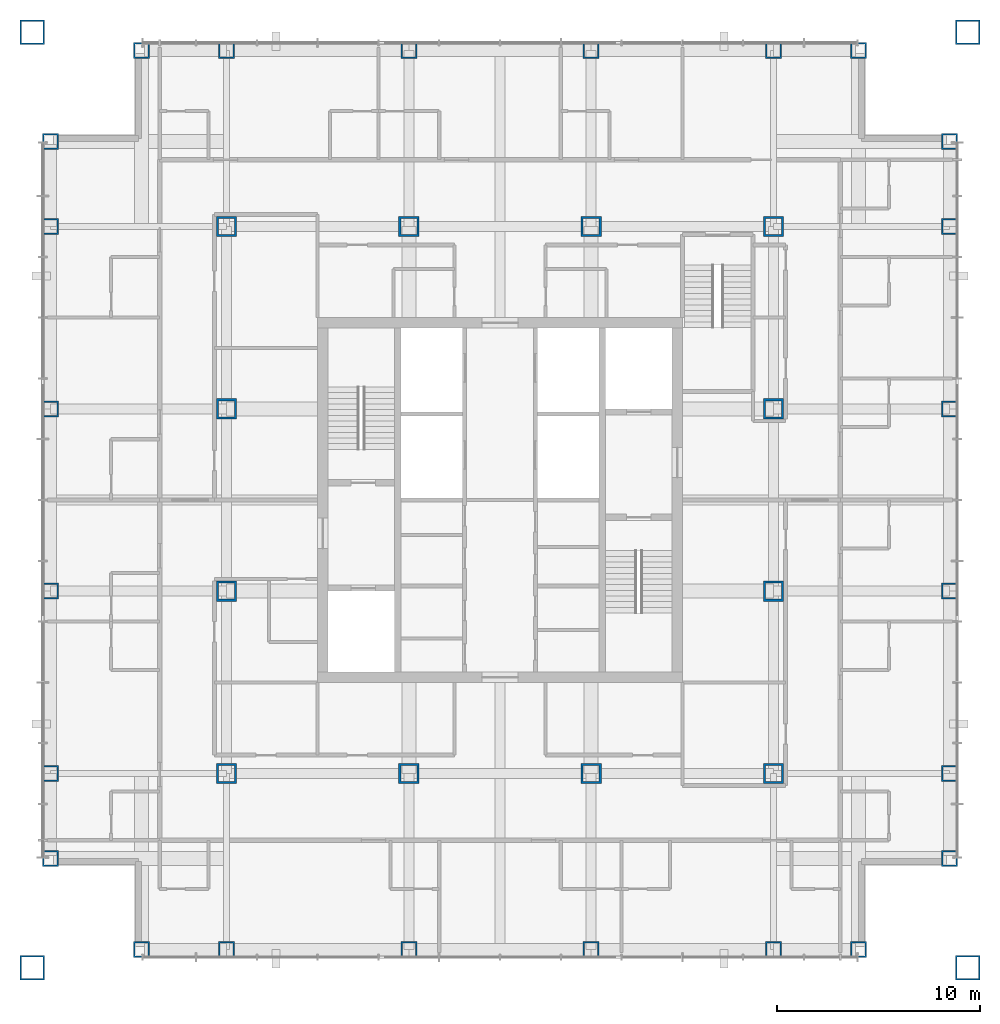
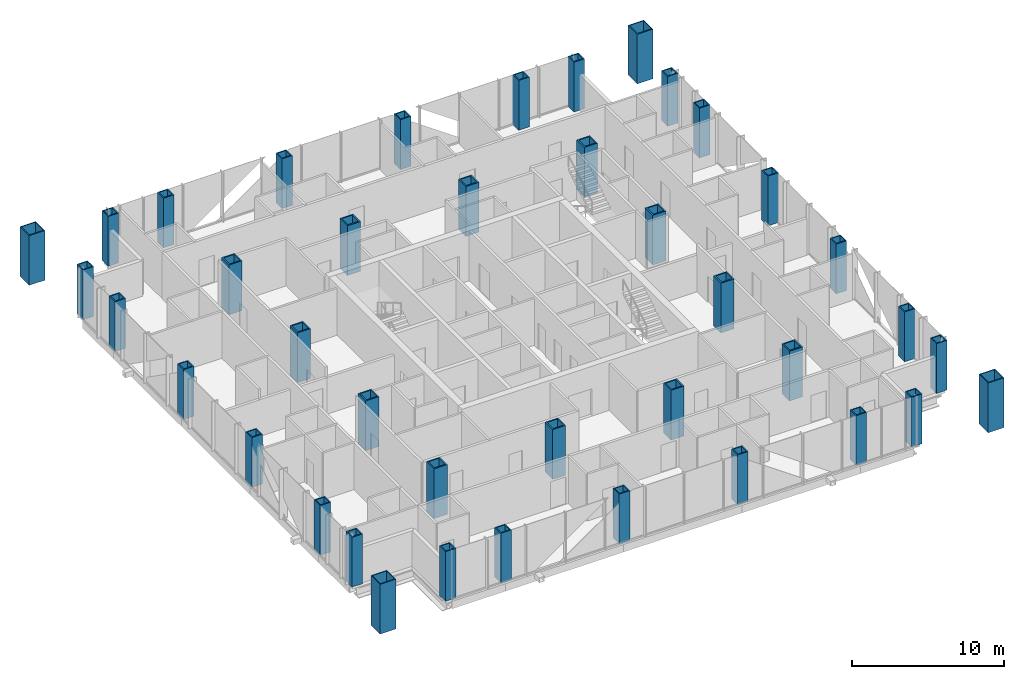
# One storey, part 1 of 17: 40 columns.
"""IFC4 building model written with IfcOpenShell, lengths in metres."""

from ifc_helpers import new_model, si_unit, direction, frame, origin, origin_2d, place, context, subcontext, project, spatial, hollow_rectangle, extrude, material, material_profile, profile_set, type_object, element, save


model = new_model("IFC4")

# Units and contexts
model_context = context("Model", 3, precision=1e-05, world=origin(), true_north=direction((0.0, 1.0)))
body_context = subcontext(model_context, "Body", "Model", "MODEL_VIEW")
ifc_project = project(units=[si_unit("LENGTHUNIT", "METRE"), si_unit("AREAUNIT", "SQUARE_METRE"), si_unit("VOLUMEUNIT", "CUBIC_METRE"), si_unit("PLANEANGLEUNIT", "RADIAN"), si_unit("MASSUNIT", "GRAM", prefix="KILO")], contexts=[model_context])

# Site, building, storey
site_placement = place(None, origin())
site = spatial("IfcSite", under=ifc_project, at=site_placement, CompositionType="ELEMENT")
building_placement = place(site_placement, origin())
building = spatial("IfcBuilding", under=site, at=building_placement, Name="Malebo Sky Hospital", CompositionType="ELEMENT")
storey_placement = place(building_placement, frame((0.0, 0.0, 185.0)))
storey = spatial("IfcBuildingStorey", under=building, at=storey_placement, Name="L44", CompositionType="ELEMENT", Elevation=185.0)

# Columns
ifc_material = material(Name="Steel S460", Category="steel")
ifc_material_profile_1 = material_profile(ifc_material, hollow_rectangle(XDim=1.0, YDim=1.0, WallThickness=0.10009765625, at=origin_2d()), Name="BOX 1000x1000x100")
ifc_profile_set_1 = profile_set([ifc_material_profile_1], Name="Steel S460")
column_type_1 = type_object("IfcColumnType", Name="INNER COLUMN BOX 1000x1000x100", PredefinedType="COLUMN", material=ifc_profile_set_1)
for number, where, z_axis, x_axis, name in (
    (1, (46.5, 48.5, 0.0), (0.0, 0.0, 1.0), (1.0, 0.0, 0.0), "Column IC9 L44"),
    (2, (73.5, 48.5, 0.0), (0.0, 0.0, 1.0), (1.0, 0.0, 0.0), "Column IC9 L44"),
    (3, (73.5, 75.5, 0.0), (0.0, 0.0, 1.0), (1.0, 0.0, 0.0), "Column IC9 L44"),
    (4, (46.5, 75.5, 0.0), (0.0, 0.0, 1.0), (1.0, 0.0, 0.0), "Column IC9 L44"),
    (5, (55.5, 48.5, 0.0), (0.0, 0.0, 1.0), (1.0, 0.0, 0.0), "Column IC9 L44"),
    (6, (64.5, 48.5, 0.0), (0.0, 0.0, 1.0), (1.0, 0.0, 0.0), "Column IC9 L44"),
    (7, (55.5, 75.5, 0.0), (0.0, 0.0, 1.0), (1.0, 0.0, 0.0), "Column IC9 L44"),
    (8, (64.5, 75.5, 0.0), (0.0, 0.0, 1.0), (1.0, 0.0, 0.0), "Column IC9 L44"),
    (9, (46.5, 57.5, 0.0), (0.0, 0.0, 1.0), (1.0, 0.0, 0.0), "Column IC9 L44"),
    (10, (46.5, 66.5, 0.0), (0.0, 0.0, 1.0), (1.0, 0.0, 0.0), "Column IC9 L44"),
    (11, (73.5, 57.5, 0.0), (0.0, 0.0, 1.0), (1.0, 0.0, 0.0), "Column IC9 L44"),
    (12, (73.5, 66.5, 0.0), (0.0, 0.0, 1.0), (1.0, 0.0, 0.0), "Column IC9 L44"),
):
    element("IfcColumn", number, at=place(storey_placement, frame(where, z_axis=z_axis, x_axis=x_axis)), inside=storey, type_object=column_type_1, Name=name, PredefinedType="COLUMN", context=body_context, shape_type="SweptSolid", body=[
        extrude(hollow_rectangle(XDim=1.0, YDim=1.0, WallThickness=0.10009765625, at=origin_2d()), origin(), (0.0, 0.0, 1.0), 4.0),
    ])
ifc_material_profile_2 = material_profile(ifc_material, hollow_rectangle(XDim=1.199951171875, YDim=1.199951171875, WallThickness=0.070068359375, at=origin_2d()), Name="BOX 1200x1200x70")
ifc_profile_set_2 = profile_set([ifc_material_profile_2], Name="Steel S460")
column_type_2 = type_object("IfcColumnType", Name="MEGA COLUMN BOX 1200x1200x70", PredefinedType="COLUMN", material=ifc_profile_set_2)
for number, where, z_axis, x_axis, name in (
    (13, (36.89990234375, 38.89990234375, 0.0), (0.0, 0.0, 1.0), (1.0, 0.0, 0.0), "Mega column SW L44"),
    (14, (83.10009765625, 38.89990234375, 0.0), (0.0, 0.0, 1.0), (1.0, 0.0, 0.0), "Mega column SE L44"),
    (15, (83.10009765625, 85.10009765625, 0.0), (0.0, 0.0, 1.0), (1.0, 0.0, 0.0), "Mega column NE L44"),
    (16, (36.89990234375, 85.10009765625, 0.0), (0.0, 0.0, 1.0), (1.0, 0.0, 0.0), "Mega column NW L44"),
):
    element("IfcColumn", number, at=place(storey_placement, frame(where, z_axis=z_axis, x_axis=x_axis)), inside=storey, type_object=column_type_2, Name=name, PredefinedType="COLUMN", context=body_context, shape_type="SweptSolid", body=[
        extrude(hollow_rectangle(XDim=1.199951171875, YDim=1.199951171875, WallThickness=0.070068359375, at=origin_2d()), origin(), (0.0, 0.0, 1.0), 4.0),
    ])
ifc_material_profile_3 = material_profile(ifc_material, hollow_rectangle(XDim=0.800048828125, YDim=0.800048828125, WallThickness=0.080078125, at=origin_2d()), Name="BOX 800x800x80")
ifc_profile_set_3 = profile_set([ifc_material_profile_3], Name="Steel S460")
column_type_3 = type_object("IfcColumnType", Name="PERIMETER COLUMN BOX 800x800x80", PredefinedType="COLUMN", material=ifc_profile_set_3)
for number, where, z_axis, x_axis, name in (
    (17, (42.300048828125, 39.800048828125, 0.0), (0.0, 0.0, 1.0), (1.0, 0.0, 0.0), "Column PC7 L44"),
    (18, (42.300048828125, 84.199951171875, 0.0), (0.0, 0.0, 1.0), (1.0, 0.0, 0.0), "Column PC7 L44"),
    (19, (37.800048828125, 44.300048828125, 0.0), (0.0, 0.0, 1.0), (1.0, 0.0, 0.0), "Column PC7 L44"),
    (20, (82.199951171875, 44.300048828125, 0.0), (0.0, 0.0, 1.0), (1.0, 0.0, 0.0), "Column PC7 L44"),
    (21, (46.5, 39.800048828125, 0.0), (0.0, 0.0, 1.0), (1.0, 0.0, 0.0), "Column PC7 L44"),
    (22, (46.5, 84.199951171875, 0.0), (0.0, 0.0, 1.0), (1.0, 0.0, 0.0), "Column PC7 L44"),
    (23, (37.800048828125, 48.5, 0.0), (0.0, 0.0, 1.0), (1.0, 0.0, 0.0), "Column PC7 L44"),
    (24, (82.199951171875, 48.5, 0.0), (0.0, 0.0, 1.0), (1.0, 0.0, 0.0), "Column PC7 L44"),
    (25, (55.5, 39.800048828125, 0.0), (0.0, 0.0, 1.0), (1.0, 0.0, 0.0), "Column PC7 L44"),
    (26, (55.5, 84.199951171875, 0.0), (0.0, 0.0, 1.0), (1.0, 0.0, 0.0), "Column PC7 L44"),
    (27, (37.800048828125, 57.5, 0.0), (0.0, 0.0, 1.0), (1.0, 0.0, 0.0), "Column PC7 L44"),
    (28, (82.199951171875, 57.5, 0.0), (0.0, 0.0, 1.0), (1.0, 0.0, 0.0), "Column PC7 L44"),
    (29, (64.5, 39.800048828125, 0.0), (0.0, 0.0, 1.0), (1.0, 0.0, 0.0), "Column PC7 L44"),
    (30, (64.5, 84.199951171875, 0.0), (0.0, 0.0, 1.0), (1.0, 0.0, 0.0), "Column PC7 L44"),
    (31, (37.800048828125, 66.5, 0.0), (0.0, 0.0, 1.0), (1.0, 0.0, 0.0), "Column PC7 L44"),
    (32, (82.199951171875, 66.5, 0.0), (0.0, 0.0, 1.0), (1.0, 0.0, 0.0), "Column PC7 L44"),
    (33, (73.5, 39.800048828125, 0.0), (0.0, 0.0, 1.0), (1.0, 0.0, 0.0), "Column PC7 L44"),
    (34, (73.5, 84.199951171875, 0.0), (0.0, 0.0, 1.0), (1.0, 0.0, 0.0), "Column PC7 L44"),
    (35, (37.800048828125, 75.5, 0.0), (0.0, 0.0, 1.0), (1.0, 0.0, 0.0), "Column PC7 L44"),
    (36, (82.199951171875, 75.5, 0.0), (0.0, 0.0, 1.0), (1.0, 0.0, 0.0), "Column PC7 L44"),
    (37, (77.699951171875, 39.800048828125, 0.0), (0.0, 0.0, 1.0), (1.0, 0.0, 0.0), "Column PC7 L44"),
    (38, (77.699951171875, 84.199951171875, 0.0), (0.0, 0.0, 1.0), (1.0, 0.0, 0.0), "Column PC7 L44"),
    (39, (37.800048828125, 79.699951171875, 0.0), (0.0, 0.0, 1.0), (1.0, 0.0, 0.0), "Column PC7 L44"),
    (40, (82.199951171875, 79.699951171875, 0.0), (0.0, 0.0, 1.0), (1.0, 0.0, 0.0), "Column PC7 L44"),
):
    element("IfcColumn", number, at=place(storey_placement, frame(where, z_axis=z_axis, x_axis=x_axis)), inside=storey, type_object=column_type_3, Name=name, PredefinedType="COLUMN", context=body_context, shape_type="SweptSolid", body=[
        extrude(hollow_rectangle(XDim=0.800048828125, YDim=0.800048828125, WallThickness=0.080078125, at=origin_2d()), origin(), (0.0, 0.0, 1.0), 4.0),
    ])

save(model, "model.ifc")
